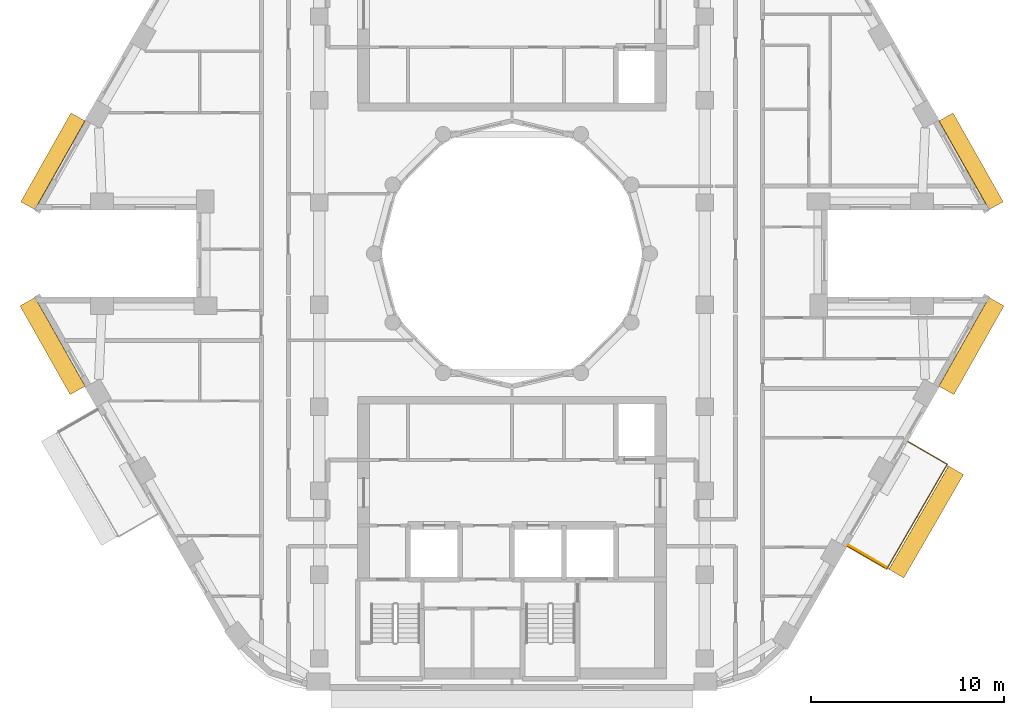
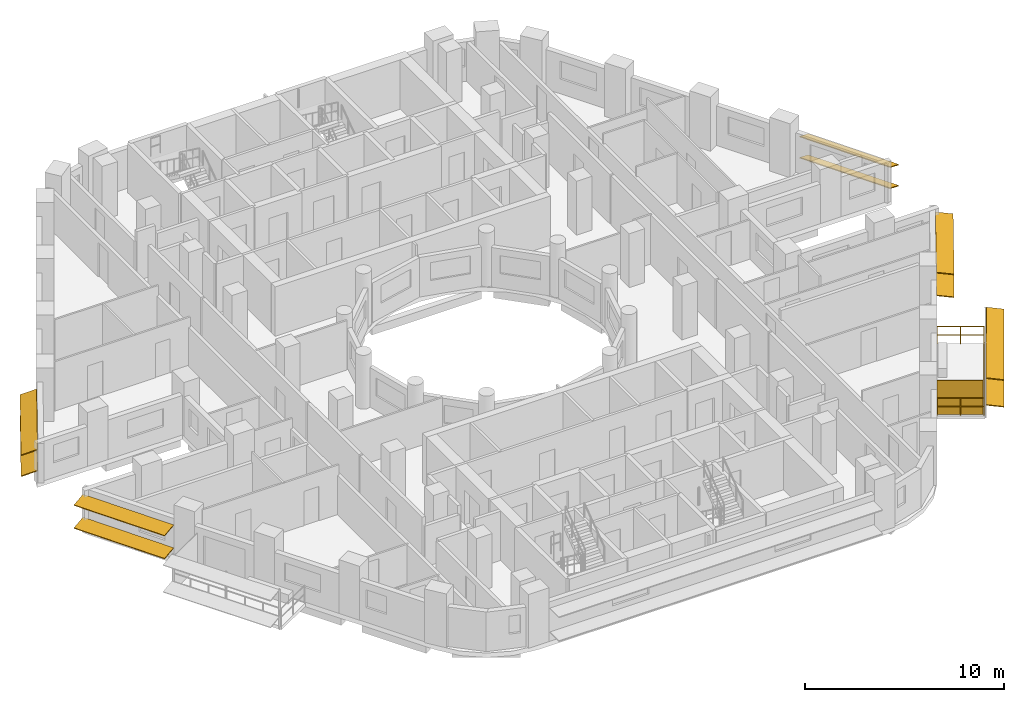
# One storey, part 15 of 16: 11 shading devices, 1 railing.
"""IFC4 building model written with IfcOpenShell, lengths in metres."""

from ifc_helpers import new_model, si_unit, direction, frame, origin, origin_2d, place, context, subcontext, project, spatial, rectangle, circle, extrude, material, layer, layer_set, material_profile, profile_set, type_object, element, save


model = new_model("IFC4")

# Units and contexts
model_context = context("Model", 3, precision=1e-05, world=origin(), true_north=direction((0.0, 1.0)))
body_context = subcontext(model_context, "Body", "Model", "MODEL_VIEW")
ifc_project = project(units=[si_unit("LENGTHUNIT", "METRE"), si_unit("AREAUNIT", "SQUARE_METRE"), si_unit("VOLUMEUNIT", "CUBIC_METRE"), si_unit("PLANEANGLEUNIT", "RADIAN"), si_unit("MASSUNIT", "GRAM", prefix="KILO")], contexts=[model_context])

# Site, building, storey
site_placement = place(None, origin())
site = spatial("IfcSite", under=ifc_project, at=site_placement, CompositionType="ELEMENT")
building_placement = place(site_placement, origin())
building = spatial("IfcBuilding", under=site, at=building_placement, Name="Nakaniwa Court", CompositionType="ELEMENT")
storey_placement = place(building_placement, frame((0.0, 0.0, 199.800048828125)))
storey = spatial("IfcBuildingStorey", under=building, at=storey_placement, Name="L52", CompositionType="ELEMENT", Elevation=199.800048828125)

# Railing
ifc_material_1 = material(Name="Black powder-coated steel flat bar balustrade S275", Category="steel")
railing_type = type_object("IfcRailingType", Name="Black metal balcony guard 1100", PredefinedType="GUARDRAIL", material=ifc_material_1)
railing_placement = place(storey_placement, frame((97.390869140625, 64.822021484375, -0.050048828125)))
element("IfcRailing", 1, at=railing_placement, inside=storey, type_object=railing_type, Name="L52 balcony guard 02", PredefinedType="GUARDRAIL", context=body_context, shape_type="SweptSolid", body=[
    extrude(circle(Radius=0.02392578125, at=origin_2d()), frame((0.0, 0.0, 1.076171875), z_axis=(0.866006432019, -0.500032858622, 0.0), x_axis=(0.500032858622, 0.866006432019, 0.0)), (0.0, 0.0, 1.0), 2.360107421875),
    extrude(circle(Radius=0.02392578125, at=origin_2d()), frame((0.0, 0.0, 0.550048828125), z_axis=(0.866006432019, -0.500032858622, 0.0), x_axis=(0.500032858622, 0.866006432019, 0.0)), (0.0, 0.0, 1.0), 2.360107421875),
    extrude(circle(Radius=0.02392578125, at=origin_2d()), frame((2.0439453125, -1.18017578125, 1.076171875), z_axis=(0.499990907215, 0.866030653443, 0.0), x_axis=(-0.866030653443, 0.499990907215, 0.0)), (0.0, 0.0, 1.0), 6.271484375),
    extrude(circle(Radius=0.02392578125, at=origin_2d()), frame((2.0439453125, -1.18017578125, 0.550048828125), z_axis=(0.499990907215, 0.866030653443, 0.0), x_axis=(-0.866030653443, 0.499990907215, 0.0)), (0.0, 0.0, 1.0), 6.271484375),
    extrude(circle(Radius=0.02392578125, at=origin_2d()), frame((5.1796875, 4.251220703125, 1.076171875), z_axis=(-0.865980564943, 0.500077655111, 0.0), x_axis=(-0.500077655111, -0.865980564943, 0.0)), (0.0, 0.0, 1.0), 2.35986328125),
    extrude(circle(Radius=0.02392578125, at=origin_2d()), frame((5.1796875, 4.251220703125, 0.550048828125), z_axis=(-0.865980564943, 0.500077655111, 0.0), x_axis=(-0.500077655111, -0.865980564943, 0.0)), (0.0, 0.0, 1.0), 2.35986328125),
    extrude(circle(Radius=0.02099609375, at=origin_2d()), origin(), (0.0, 0.0, 1.0), 1.052001953125),
    extrude(circle(Radius=0.02099609375, at=origin_2d()), frame((1.02197265625, -0.590087890625, 0.0)), (0.0, 0.0, 1.0), 1.052001953125),
    extrude(circle(Radius=0.02099609375, at=origin_2d()), frame((2.0439453125, -1.18017578125, 0.0)), (0.0, 0.0, 1.0), 1.052001953125),
    extrude(circle(Radius=0.02099609375, at=origin_2d()), frame((2.566650390625, -0.27490234375, 0.0)), (0.0, 0.0, 1.0), 1.052001953125),
    extrude(circle(Radius=0.02099609375, at=origin_2d()), frame((3.089111328125, 0.63037109375, 0.0)), (0.0, 0.0, 1.0), 1.052001953125),
    extrude(circle(Radius=0.02099609375, at=origin_2d()), frame((3.61181640625, 1.53564453125, 0.0)), (0.0, 0.0, 1.0), 1.052001953125),
    extrude(circle(Radius=0.02099609375, at=origin_2d()), frame((4.134521484375, 2.440673828125, 0.0)), (0.0, 0.0, 1.0), 1.052001953125),
    extrude(circle(Radius=0.02099609375, at=origin_2d()), frame((4.656982421875, 3.345947265625, 0.0)), (0.0, 0.0, 1.0), 1.052001953125),
    extrude(circle(Radius=0.02099609375, at=origin_2d()), frame((5.1796875, 4.251220703125, 0.0)), (0.0, 0.0, 1.0), 1.052001953125),
    extrude(circle(Radius=0.02099609375, at=origin_2d()), frame((4.15771484375, 4.84130859375, 0.0)), (0.0, 0.0, 1.0), 1.052001953125),
    extrude(circle(Radius=0.02099609375, at=origin_2d()), frame((3.135986328125, 5.431396484375, 0.0)), (0.0, 0.0, 1.0), 1.052001953125),
])

# Shading devices
ifc_material_2 = material(Name="Black powder-coated aluminium slat screen", Category="aluminium")
ifc_layer = layer(ifc_material_2, 0.0400390625)
ifc_layer_set = layer_set([ifc_layer], Name="Black powder-coated aluminium slat screen")
shading_device_type_1 = type_object("IfcShadingDeviceType", Name="Koshi screen black metal", PredefinedType="USERDEFINED", material=ifc_layer_set)
shading_device_placement = place(storey_placement, frame((98.43115234375, 64.313720703125, -0.050048828125), z_axis=(0.0, 0.0, 1.0), x_axis=(0.500016626402, 0.866015804314, 0.0)))
element("IfcShadingDevice", 2, at=shading_device_placement, inside=storey, type_object=shading_device_type_1, Name="L52 balcony SCREEN 02 W", ObjectType="KOSHI SCREEN", PredefinedType="USERDEFINED", context=body_context, shape_type="SweptSolid", body=[
    extrude(rectangle(XDim=0.0400390625, YDim=2.31005859375, at=origin_2d()), origin(), (0.0, 0.0, 1.0), 2.10009765625),
])
ifc_material_3 = material(Name="Perforated charcoal ceramic louvre blade")
ifc_material_profile = material_profile(ifc_material_3, rectangle(XDim=0.89990234375, YDim=0.050048828125, at=origin_2d()), Name="Perforated ceramic louvre blade")
ifc_profile_set = profile_set([ifc_material_profile], Name="Perforated charcoal ceramic louvre blade")
shading_device_type_2 = type_object("IfcShadingDeviceType", Name="Perforated ceramic louvre blade", PredefinedType="JALOUSIE", material=ifc_profile_set)
for number, where, z_axis, x_axis, name in (
    (3, (99.930419921875, 63.40185546875, 0.5), (0.500019400846, 0.866014202411, 0.0), (-0.858605330857, 0.495741665556, 0.13052619222), "L52 perforated ceramic louvre blade 02 1"),
    (4, (99.930419921875, 63.40185546875, 2.14990234375), (0.500019400846, 0.866014202411, 0.0), (-0.858605330857, 0.495741665556, 0.13052619222), "L52 perforated ceramic louvre blade 02 2"),
):
    element("IfcShadingDevice", number, at=place(storey_placement, frame(where, z_axis=z_axis, x_axis=x_axis)), inside=storey, type_object=shading_device_type_2, Name=name, PredefinedType="JALOUSIE", context=body_context, shape_type="SweptSolid", body=[
        extrude(rectangle(XDim=0.89990234375, YDim=0.050048828125, at=origin_2d()), origin(), (0.0, 0.0, 1.0), 6.191650390625),
    ])
for number, where, z_axis, x_axis, name in (
    (5, (105.103759765625, 82.480224609375, 0.550048828125), (-0.492005517921, 0.870592080331, 0.0), (-0.804902454764, -0.454881750109, 0.38107037635), "L52 perforated ceramic louvre blade w02 1"),
    (6, (105.103759765625, 82.480224609375, 1.845458984375), (-0.492005517921, 0.870592080331, 0.0), (-0.804902454764, -0.454881750109, 0.38107037635), "L52 perforated ceramic louvre blade w02 2"),
    (7, (57.497314453125, 87.082763671875, 0.550048828125), (-0.492005517921, -0.870592080331, 0.0), (0.804902454764, -0.454881750109, 0.38107037635), "L52 perforated ceramic louvre blade w14 1"),
    (8, (57.497314453125, 87.082763671875, 1.845458984375), (-0.492005517921, -0.870592080331, 0.0), (0.804902454764, -0.454881750109, 0.38107037635), "L52 perforated ceramic louvre blade w14 2"),
):
    element("IfcShadingDevice", number, at=place(storey_placement, frame(where, z_axis=z_axis, x_axis=x_axis)), inside=storey, type_object=shading_device_type_2, Name=name, PredefinedType="JALOUSIE", context=body_context, shape_type="SweptSolid", body=[
        extrude(rectangle(XDim=0.89990234375, YDim=0.050048828125, at=origin_2d()), origin(), (0.0, 0.0, 1.0), 5.28662109375),
    ])
for number, where, z_axis, x_axis, name in (
    (9, (54.87548828125, 77.508056640625, 0.550048828125), (0.492040518232, -0.870572299363, 0.0), (0.862924792041, 0.487718208105, 0.132256390257), "L52 perforated ceramic louvre blade w20 1"),
    (10, (54.87548828125, 77.508056640625, 1.95556640625), (0.492040518232, -0.870572299363, 0.0), (0.862924792041, 0.487718208105, 0.132256390257), "L52 perforated ceramic louvre blade w20 2"),
    (11, (102.523193359375, 72.905517578125, 0.550048828125), (0.492040518232, 0.870572299363, 0.0), (-0.862924792041, 0.487718208105, 0.132256390257), "L52 perforated ceramic louvre blade w32 1"),
    (12, (102.523193359375, 72.905517578125, 1.95556640625), (0.492040518232, 0.870572299363, 0.0), (-0.862924792041, 0.487718208105, 0.132256390257), "L52 perforated ceramic louvre blade w32 2"),
):
    element("IfcShadingDevice", number, at=place(storey_placement, frame(where, z_axis=z_axis, x_axis=x_axis)), inside=storey, type_object=shading_device_type_2, Name=name, PredefinedType="JALOUSIE", context=body_context, shape_type="SweptSolid", body=[
        extrude(rectangle(XDim=0.89990234375, YDim=0.050048828125, at=origin_2d()), origin(), (0.0, 0.0, 1.0), 5.286865234375),
    ])

save(model, "model.ifc")
